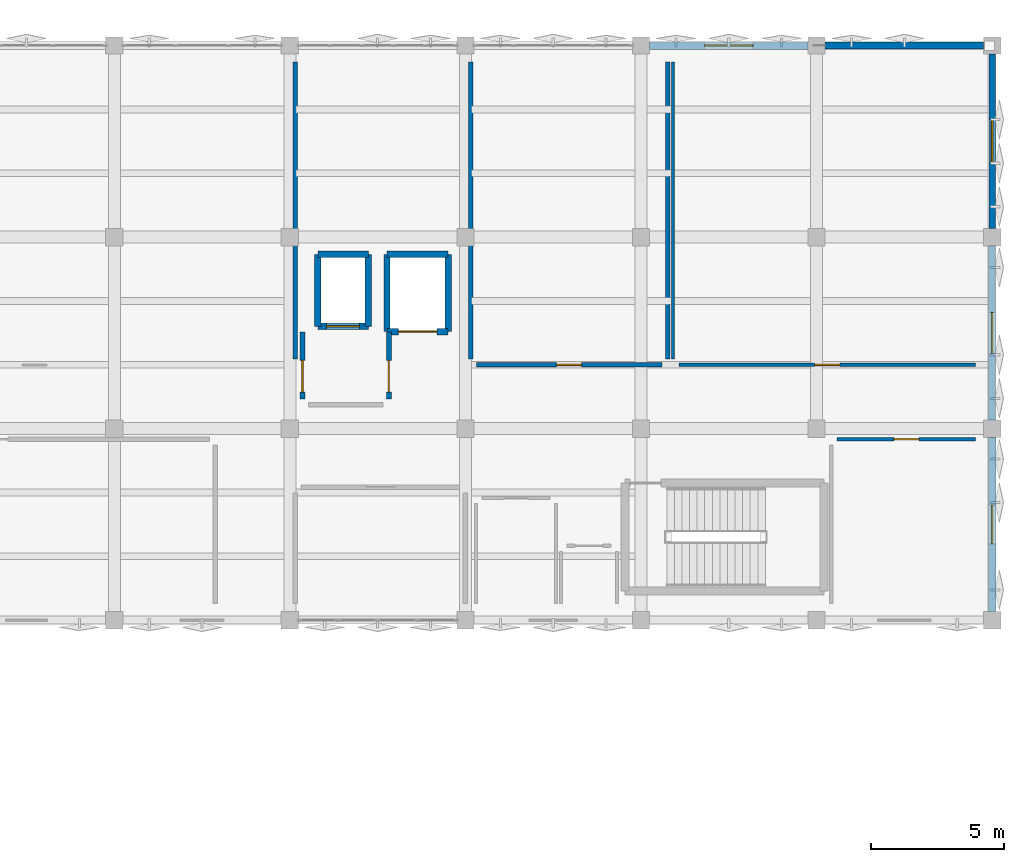
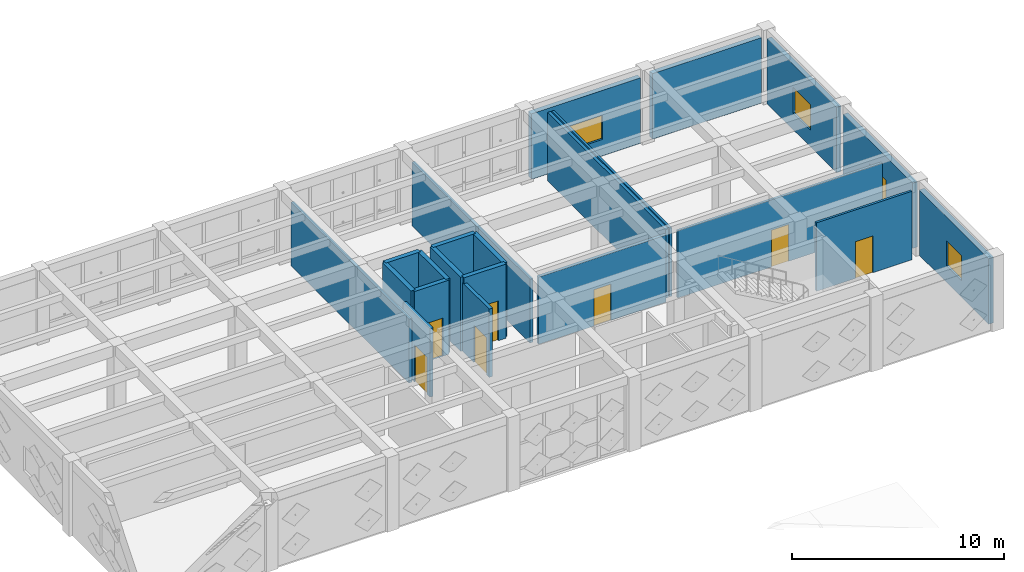
# One storey, part 41 of 48: 22 walls, 7 doors, 4 windows, 11 openings.
"""IFC4 building model written with IfcOpenShell, lengths in metres."""

from ifc_helpers import new_model, si_unit, direction, frame, frame_2d, origin, place, context, subcontext, project, spatial, rectangle, extrude, material, layer, layer_set, type_object, element, fill, save


model = new_model("IFC4")

# Units and contexts
model_context = context("Model", 3, precision=1e-05, world=origin(), true_north=direction((0.0, 1.0)))
body_context = subcontext(model_context, "Body", "Model", "MODEL_VIEW")
ifc_project = project(units=[si_unit("LENGTHUNIT", "METRE"), si_unit("AREAUNIT", "SQUARE_METRE"), si_unit("VOLUMEUNIT", "CUBIC_METRE"), si_unit("PLANEANGLEUNIT", "RADIAN"), si_unit("MASSUNIT", "GRAM", prefix="KILO")], contexts=[model_context])

# Site, building, storey
site_placement = place(None, origin())
site = spatial("IfcSite", under=ifc_project, at=site_placement, CompositionType="ELEMENT")
building_placement = place(site_placement, origin())
building = spatial("IfcBuilding", under=site, at=building_placement, Name="Kharisveld Research Institute", CompositionType="ELEMENT")
storey_placement = place(building_placement, frame((0.0, 0.0, 14.10009765625)))
storey = spatial("IfcBuildingStorey", under=building, at=storey_placement, Name="L03", CompositionType="ELEMENT", Elevation=14.10009765625)

# Walls
ifc_material_1 = material(Name="Concrete C40/50", Category="concrete")
ifc_layer_1 = layer(ifc_material_1, 0.239990234375)
ifc_layer_set_1 = layer_set([ifc_layer_1], Name="WL_CORE_240")
wall_type_1 = type_object("IfcWallType", Name="WL_CORE_240", PredefinedType="SHEAR", material=ifc_layer_set_1)
wall_1_placement = place(storey_placement, frame((135.449951171875, 50.25, 0.0), z_axis=(0.0, 0.0, 1.0), x_axis=(0.0, 1.0, 0.0)))
element("IfcWall", 1, at=wall_1_placement, inside=storey, type_object=wall_type_1, Name="WL:LFT:FFL-02:L03:W", PredefinedType="SHEAR", context=body_context, shape_type="SweptSolid", body=[
    extrude(rectangle(XDim=2.699951171875, YDim=0.239990234375, at=frame_2d((1.35009765625, 0.0))), origin(), (0.0, 0.0, 1.0), 4.27978515625),
])
wall_2_placement = place(storey_placement, frame((135.449951171875, 52.949951171875, 0.0), z_axis=(0.0, 0.0, 1.0), x_axis=(1.0, 0.0, 0.0)))
element("IfcWall", 2, at=wall_2_placement, inside=storey, type_object=wall_type_1, Name="WL:LFT:FFL-02:L03:N", PredefinedType="SHEAR", context=body_context, shape_type="SweptSolid", body=[
    extrude(rectangle(XDim=1.900146484375, YDim=0.239990234375, at=frame_2d((0.9501953125, 0.0))), origin(), (0.0, 0.0, 1.0), 4.27978515625),
])
wall_3_placement = place(storey_placement, frame((137.35009765625, 52.949951171875, 0.0), z_axis=(0.0, 0.0, 1.0), x_axis=(0.0, -1.0, 0.0)))
element("IfcWall", 3, at=wall_3_placement, inside=storey, type_object=wall_type_1, Name="WL:LFT:FFL-02:L03:E", PredefinedType="SHEAR", context=body_context, shape_type="SweptSolid", body=[
    extrude(rectangle(XDim=2.699951171875, YDim=0.239990234375, at=frame_2d((1.35009765625, 0.0))), origin(), (0.0, 0.0, 1.0), 4.27978515625),
])

# Wall, opening, door
wall_4_placement = place(storey_placement, frame((137.35009765625, 50.25, 0.0), z_axis=(0.0, 0.0, 1.0), x_axis=(-1.0, 0.0, 0.0)))
wall_4 = element("IfcWall", 4, at=wall_4_placement, inside=storey, type_object=wall_type_1, Name="WL:LFT:FFL-02:L03:S", PredefinedType="SHEAR", context=body_context, shape_type="SweptSolid", body=[
    extrude(rectangle(XDim=1.900146484375, YDim=0.239990234375, at=frame_2d((0.9501953125, 0.0))), origin(), (0.0, 0.0, 1.0), 4.27978515625),
])
opening_1_placement = place(wall_4_placement, frame((0.324951171875, 0.0, 0.0)))
opening_1 = element("IfcOpeningElement", 5, at=opening_1_placement, cuts=wall_4, Name="Opening LD-02", PredefinedType="OPENING", context=body_context, shape_type="SweptSolid", body=[
    extrude(rectangle(XDim=1.25, YDim=2.199951171875, at=frame_2d((0.625, 1.10009765625))), frame((0.0, 0.1201171875, 0.0), z_axis=(0.0, -1.0, 0.0), x_axis=(1.0, 0.0, 0.0)), (0.0, 0.0, 1.0), 0.239990234375),
])
ifc_material_2 = material(Name="Flush Painted Hardwood and Anodised Aluminium", Category="wood")
door_type_1 = type_object("IfcDoorType", Name="DR_LFT_125", OperationType="SLIDING_TO_RIGHT", PredefinedType="DOOR", material=ifc_material_2)
door_1_placement = place(opening_1_placement, origin())
door_1 = element("IfcDoor", 6, at=door_1_placement, inside=storey, type_object=door_type_1, Name="FFL-02 Lift Landing Door L03", OperationType="SLIDING_TO_RIGHT", OverallHeight=2.199951171875, OverallWidth=1.25, PredefinedType="DOOR", context=body_context, shape_type="SweptSolid", body=[
    extrude(rectangle(XDim=1.25, YDim=2.199951171875, at=frame_2d((0.625, 1.10009765625))), frame((0.0, 0.02490234375, 0.0), z_axis=(0.0, -1.0, 0.0), x_axis=(1.0, 0.0, 0.0)), (0.0, 0.0, 1.0), 0.050048828125),
])
fill(opening_1, door_1)

# Walls
wall_5_placement = place(storey_placement, frame((138.050048828125, 50.050048828125, 0.0), z_axis=(0.0, 0.0, 1.0), x_axis=(0.0, 1.0, 0.0)))
element("IfcWall", 7, at=wall_5_placement, inside=storey, type_object=wall_type_1, Name="WL:LFT:GL-01:L03:W", PredefinedType="SHEAR", context=body_context, shape_type="SweptSolid", body=[
    extrude(rectangle(XDim=2.89990234375, YDim=0.239990234375, at=frame_2d((1.449951171875, 0.0))), origin(), (0.0, 0.0, 1.0), 4.27978515625),
])
wall_6_placement = place(storey_placement, frame((138.050048828125, 52.949951171875, 0.0), z_axis=(0.0, 0.0, 1.0), x_axis=(1.0, 0.0, 0.0)))
element("IfcWall", 8, at=wall_6_placement, inside=storey, type_object=wall_type_1, Name="WL:LFT:GL-01:L03:N", PredefinedType="SHEAR", context=body_context, shape_type="SweptSolid", body=[
    extrude(rectangle(XDim=2.300048828125, YDim=0.239990234375, at=frame_2d((1.14990234375, 0.0))), origin(), (0.0, 0.0, 1.0), 4.27978515625),
])
wall_7_placement = place(storey_placement, frame((140.35009765625, 52.949951171875, 0.0), z_axis=(0.0, 0.0, 1.0), x_axis=(0.0, -1.0, 0.0)))
element("IfcWall", 9, at=wall_7_placement, inside=storey, type_object=wall_type_1, Name="WL:LFT:GL-01:L03:E", PredefinedType="SHEAR", context=body_context, shape_type="SweptSolid", body=[
    extrude(rectangle(XDim=2.89990234375, YDim=0.239990234375, at=frame_2d((1.449951171875, 0.0))), origin(), (0.0, 0.0, 1.0), 4.27978515625),
])

# Wall, opening, door
wall_8_placement = place(storey_placement, frame((140.35009765625, 50.050048828125, 0.0), z_axis=(0.0, 0.0, 1.0), x_axis=(-1.0, 0.0, 0.0)))
wall_8 = element("IfcWall", 10, at=wall_8_placement, inside=storey, type_object=wall_type_1, Name="WL:LFT:GL-01:L03:S", PredefinedType="SHEAR", context=body_context, shape_type="SweptSolid", body=[
    extrude(rectangle(XDim=2.300048828125, YDim=0.239990234375, at=frame_2d((1.14990234375, 0.0))), origin(), (0.0, 0.0, 1.0), 4.27978515625),
])
opening_2_placement = place(wall_8_placement, frame((0.425048828125, 0.0, 0.0)))
opening_2 = element("IfcOpeningElement", 11, at=opening_2_placement, cuts=wall_8, Name="Opening LD-03", PredefinedType="OPENING", context=body_context, shape_type="SweptSolid", body=[
    extrude(rectangle(XDim=1.449951171875, YDim=2.300048828125, at=frame_2d((0.72509765625, 1.14990234375))), frame((0.0, 0.1201171875, 0.0), z_axis=(0.0, -1.0, 0.0), x_axis=(1.0, 0.0, 0.0)), (0.0, 0.0, 1.0), 0.239990234375),
])
ifc_material_3 = material(Name="Flush Painted Hardwood and Anodised Aluminium", Category="wood")
door_type_2 = type_object("IfcDoorType", Name="DR_LFT_145", OperationType="DOUBLE_DOOR_SLIDING", PredefinedType="DOOR", material=ifc_material_3)
door_2_placement = place(opening_2_placement, origin())
door_2 = element("IfcDoor", 12, at=door_2_placement, inside=storey, type_object=door_type_2, Name="GL-01 Lift Landing Door L03", OperationType="DOUBLE_DOOR_SLIDING", OverallHeight=2.300048828125, OverallWidth=1.449951171875, PredefinedType="DOOR", context=body_context, shape_type="SweptSolid", body=[
    extrude(rectangle(XDim=1.449951171875, YDim=2.300048828125, at=frame_2d((0.72509765625, 1.14990234375))), frame((0.0, 0.02490234375, 0.0), z_axis=(0.0, -1.0, 0.0), x_axis=(1.0, 0.0, 0.0)), (0.0, 0.0, 1.0), 0.050048828125),
])
fill(opening_2, door_2)

# Wall, opening, window
ifc_material_4 = material(Name="Lightweight Acoustic Spandrel", Category="mineral")
ifc_layer_2 = layer(ifc_material_4, 0.2451171875)
ifc_layer_set_2 = layer_set([ifc_layer_2], Name="WL_EXT_245")
wall_type_2 = type_object("IfcWallType", Name="WL_EXT_245", PredefinedType="STANDARD", material=ifc_layer_set_2)
wall_9_placement = place(storey_placement, frame((160.800048828125, 60.47998046875, 0.0), z_axis=(0.0, 0.0, 1.0), x_axis=(0.0, -1.0, 0.0)))
wall_9 = element("IfcWall", 13, at=wall_9_placement, inside=storey, type_object=wall_type_2, Name="WL:V2:L03:E3", PredefinedType="STANDARD", context=body_context, shape_type="SweptSolid", body=[
    extrude(rectangle(XDim=6.56005859375, YDim=0.2451171875, at=frame_2d((3.280029296875, 0.0))), origin(), (0.0, 0.0, 1.0), 3.77490234375),
])
opening_3_placement = place(wall_9_placement, frame((2.4599609375, 0.0, 0.949951171875)))
opening_3 = element("IfcOpeningElement", 14, at=opening_3_placement, cuts=wall_9, Name="Opening WN-26", PredefinedType="OPENING", context=body_context, shape_type="SweptSolid", body=[
    extrude(rectangle(XDim=1.639892578125, YDim=1.47998046875, at=frame_2d((0.81982421875, 0.739990234375))), frame((0.0, 0.12255859375, 0.0), z_axis=(0.0, -1.0, 0.0), x_axis=(1.0, 0.0, 0.0)), (0.0, 0.0, 1.0), 0.2451171875),
])
ifc_material_5 = material(Name="Low-E Double Glazing", Category="glass")
window_type_1 = type_object("IfcWindowType", Name="WN_26", PartitioningType="DOUBLE_PANEL_VERTICAL", PredefinedType="WINDOW", material=ifc_material_5)
window_1_placement = place(opening_3_placement, origin())
window_1 = element("IfcWindow", 15, at=window_1_placement, inside=storey, type_object=window_type_1, Name="WN:V2:L03:E3", OverallHeight=1.47998046875, OverallWidth=1.639892578125, PartitioningType="SINGLE_PANEL", PredefinedType="WINDOW", context=body_context, shape_type="SweptSolid", body=[
    extrude(rectangle(XDim=1.639892578125, YDim=1.47998046875, at=frame_2d((0.81982421875, 0.739990234375))), frame((0.0, 0.030029296875, 0.0), z_axis=(0.0, -1.0, 0.0), x_axis=(1.0, 0.0, 0.0)), (0.0, 0.0, 1.0), 0.06005859375),
])
fill(opening_3, window_1)

# Wall
ifc_material_6 = material(Name="Precast Concrete C40/50 Thermal Wall", Category="concrete")
ifc_layer_3 = layer(ifc_material_6, 0.260009765625)
ifc_layer_set_3 = layer_set([ifc_layer_3], Name="WL_EXT_260")
wall_type_3 = type_object("IfcWallType", Name="WL_EXT_260", PredefinedType="STANDARD", material=ifc_layer_set_3)
wall_10_placement = place(storey_placement, frame((154.52001953125, 60.800048828125, 0.0), z_axis=(0.0, 0.0, 1.0), x_axis=(1.0, 0.0, 0.0)))
element("IfcWall", 16, at=wall_10_placement, inside=storey, type_object=wall_type_3, Name="WL:V2:L03:N6", PredefinedType="STANDARD", context=body_context, shape_type="SweptSolid", body=[
    extrude(rectangle(XDim=5.9599609375, YDim=0.260009765625, at=frame_2d((2.97998046875, 0.0))), origin(), (0.0, 0.0, 1.0), 3.77490234375),
])

# Wall, opening, window
wall_11_placement = place(storey_placement, frame((160.800048828125, 53.280029296875, 0.0), z_axis=(0.0, 0.0, 1.0), x_axis=(0.0, -1.0, 0.0)))
wall_11 = element("IfcWall", 17, at=wall_11_placement, inside=storey, type_object=wall_type_3, Name="WL:V2:L03:E2", PredefinedType="STANDARD", context=body_context, shape_type="SweptSolid", body=[
    extrude(rectangle(XDim=6.56005859375, YDim=0.260009765625, at=frame_2d((3.280029296875, 0.0))), origin(), (0.0, 0.0, 1.0), 3.77490234375),
])
opening_4_placement = place(wall_11_placement, frame((2.5048828125, 0.0, 0.949951171875)))
opening_4 = element("IfcOpeningElement", 18, at=opening_4_placement, cuts=wall_11, Name="Opening WN-25", PredefinedType="OPENING", context=body_context, shape_type="SweptSolid", body=[
    extrude(rectangle(XDim=1.550048828125, YDim=1.4599609375, at=frame_2d((0.77490234375, 0.72998046875))), frame((0.0, 0.1298828125, 0.0), z_axis=(0.0, -1.0, 0.0), x_axis=(1.0, 0.0, 0.0)), (0.0, 0.0, 1.0), 0.260009765625),
])
ifc_material_7 = material(Name="Low-E Double Glazing", Category="glass")
window_type_2 = type_object("IfcWindowType", Name="WN_25", PartitioningType="DOUBLE_PANEL_VERTICAL", PredefinedType="WINDOW", material=ifc_material_7)
window_2_placement = place(opening_4_placement, origin())
window_2 = element("IfcWindow", 19, at=window_2_placement, inside=storey, type_object=window_type_2, Name="WN:V2:L03:E2", OverallHeight=1.4599609375, OverallWidth=1.550048828125, PartitioningType="SINGLE_PANEL", PredefinedType="WINDOW", context=body_context, shape_type="SweptSolid", body=[
    extrude(rectangle(XDim=1.550048828125, YDim=1.4599609375, at=frame_2d((0.77490234375, 0.72998046875))), frame((0.0, 0.030029296875, 0.0), z_axis=(0.0, -1.0, 0.0), x_axis=(1.0, 0.0, 0.0)), (0.0, 0.0, 1.0), 0.06005859375),
])
fill(opening_4, window_2)

ifc_material_8 = material(Name="Precast Concrete C40/50 Thermal Wall", Category="concrete")
ifc_layer_4 = layer(ifc_material_8, 0.27490234375)
ifc_layer_set_4 = layer_set([ifc_layer_4], Name="WL_EXT_275")
wall_type_4 = type_object("IfcWallType", Name="WL_EXT_275", PredefinedType="STANDARD", material=ifc_layer_set_4)
wall_12_placement = place(storey_placement, frame((147.919921875, 60.800048828125, 0.0), z_axis=(0.0, 0.0, 1.0), x_axis=(1.0, 0.0, 0.0)))
wall_12 = element("IfcWall", 20, at=wall_12_placement, inside=storey, type_object=wall_type_4, Name="WL:V2:L03:N5", PredefinedType="STANDARD", context=body_context, shape_type="SweptSolid", body=[
    extrude(rectangle(XDim=5.9599609375, YDim=0.27490234375, at=frame_2d((2.97998046875, 0.0))), origin(), (0.0, 0.0, 1.0), 3.77490234375),
])
opening_5_placement = place(wall_12_placement, frame((2.070068359375, 0.0, 0.949951171875)))
opening_5 = element("IfcOpeningElement", 21, at=opening_5_placement, cuts=wall_12, Name="Opening WN-28", PredefinedType="OPENING", context=body_context, shape_type="SweptSolid", body=[
    extrude(rectangle(XDim=1.820068359375, YDim=1.3798828125, at=frame_2d((0.91015625, 0.68994140625))), frame((0.0, 0.137451171875, 0.0), z_axis=(0.0, -1.0, 0.0), x_axis=(1.0, 0.0, 0.0)), (0.0, 0.0, 1.0), 0.27490234375),
])
ifc_material_9 = material(Name="Low-E Double Glazing", Category="glass")
window_type_3 = type_object("IfcWindowType", Name="WN_28", PartitioningType="DOUBLE_PANEL_VERTICAL", PredefinedType="WINDOW", material=ifc_material_9)
window_3_placement = place(opening_5_placement, origin())
window_3 = element("IfcWindow", 22, at=window_3_placement, inside=storey, type_object=window_type_3, Name="WN:V2:L03:N5", OverallHeight=1.3798828125, OverallWidth=1.820068359375, PartitioningType="SINGLE_PANEL", PredefinedType="WINDOW", context=body_context, shape_type="SweptSolid", body=[
    extrude(rectangle(XDim=1.820068359375, YDim=1.3798828125, at=frame_2d((0.91015625, 0.68994140625))), frame((0.0, 0.030029296875, 0.0), z_axis=(0.0, -1.0, 0.0), x_axis=(1.0, 0.0, 0.0)), (0.0, 0.0, 1.0), 0.06005859375),
])
fill(opening_5, window_3)

wall_13_placement = place(storey_placement, frame((160.800048828125, 46.080078125, 0.0), z_axis=(0.0, 0.0, 1.0), x_axis=(0.0, -1.0, 0.0)))
wall_13 = element("IfcWall", 23, at=wall_13_placement, inside=storey, type_object=wall_type_4, Name="WL:V2:L03:E1", PredefinedType="STANDARD", context=body_context, shape_type="SweptSolid", body=[
    extrude(rectangle(XDim=6.56005859375, YDim=0.27490234375, at=frame_2d((3.280029296875, 0.0))), origin(), (0.0, 0.0, 1.0), 3.77490234375),
])
opening_6_placement = place(wall_13_placement, frame((2.550048828125, 0.0, 0.949951171875)))
opening_6 = element("IfcOpeningElement", 24, at=opening_6_placement, cuts=wall_13, Name="Opening WN-24", PredefinedType="OPENING", context=body_context, shape_type="SweptSolid", body=[
    extrude(rectangle(XDim=1.4599609375, YDim=1.43994140625, at=frame_2d((0.72998046875, 0.719970703125))), frame((0.0, 0.137451171875, 0.0), z_axis=(0.0, -1.0, 0.0), x_axis=(1.0, 0.0, 0.0)), (0.0, 0.0, 1.0), 0.27490234375),
])
ifc_material_10 = material(Name="Low-E Double Glazing", Category="glass")
window_type_4 = type_object("IfcWindowType", Name="WN_24", PartitioningType="DOUBLE_PANEL_VERTICAL", PredefinedType="WINDOW", material=ifc_material_10)
window_4_placement = place(opening_6_placement, origin())
window_4 = element("IfcWindow", 25, at=window_4_placement, inside=storey, type_object=window_type_4, Name="WN:V2:L03:E1", OverallHeight=1.43994140625, OverallWidth=1.4599609375, PartitioningType="SINGLE_PANEL", PredefinedType="WINDOW", context=body_context, shape_type="SweptSolid", body=[
    extrude(rectangle(XDim=1.4599609375, YDim=1.43994140625, at=frame_2d((0.72998046875, 0.719970703125))), frame((0.0, 0.030029296875, 0.0), z_axis=(0.0, -1.0, 0.0), x_axis=(1.0, 0.0, 0.0)), (0.0, 0.0, 1.0), 0.06005859375),
])
fill(opening_6, window_4)

# Wall
ifc_material_11 = material(Name="Acoustic Drywall Partition", Category="mineral")
ifc_layer_5 = layer(ifc_material_11, 0.1650390625)
ifc_layer_set_5 = layer_set([ifc_layer_5], Name="WL_LAB_165")
wall_type_5 = type_object("IfcWallType", Name="WL_LAB_165", PredefinedType="PARTITIONING", material=ifc_layer_set_5)
wall_14_placement = place(storey_placement, frame((134.60009765625, 49.02001953125, 0.0), z_axis=(0.0, 0.0, 1.0), x_axis=(0.0, 1.0, 0.0)))
element("IfcWall", 26, at=wall_14_placement, inside=storey, type_object=wall_type_5, Name="WL:RM:V2:L03:WLA:E", PredefinedType="PARTITIONING", context=body_context, shape_type="SweptSolid", body=[
    extrude(rectangle(XDim=11.159912109375, YDim=0.1650390625, at=frame_2d((5.580078125, 0.0))), origin(), (0.0, 0.0, 1.0), 3.6748046875),
])

# Wall, opening, door
wall_15_placement = place(storey_placement, frame((141.419921875, 48.800048828125, 0.0), z_axis=(0.0, 0.0, 1.0), x_axis=(1.0, 0.0, 0.0)))
wall_15 = element("IfcWall", 27, at=wall_15_placement, inside=storey, type_object=wall_type_5, Name="WL:RM:V2:L03:WLB:S", PredefinedType="PARTITIONING", context=body_context, shape_type="SweptSolid", body=[
    extrude(rectangle(XDim=6.9599609375, YDim=0.1650390625, at=frame_2d((3.47998046875, 0.0))), origin(), (0.0, 0.0, 1.0), 3.875),
])
opening_7_placement = place(wall_15_placement, frame((3.010009765625, 0.0, 0.0)))
opening_7 = element("IfcOpeningElement", 28, at=opening_7_placement, cuts=wall_15, Name="Opening DI-218", PredefinedType="OPENING", context=body_context, shape_type="SweptSolid", body=[
    extrude(rectangle(XDim=0.93994140625, YDim=2.10009765625, at=frame_2d((0.469970703125, 1.050048828125))), frame((0.0, 0.08251953125, 0.0), z_axis=(0.0, -1.0, 0.0), x_axis=(1.0, 0.0, 0.0)), (0.0, 0.0, 1.0), 0.1650390625),
])
ifc_material_12 = material(Name="Flush Painted Hardwood and Anodised Aluminium", Category="wood")
door_type_3 = type_object("IfcDoorType", Name="DR_VAR_02", OperationType="NOTDEFINED", PredefinedType="DOOR", material=ifc_material_12)
door_3_placement = place(opening_7_placement, origin())
door_3 = element("IfcDoor", 29, at=door_3_placement, inside=storey, type_object=door_type_3, Name="DR:RM:V2:L03:WLB:S", OperationType="SINGLE_SWING_LEFT", OverallHeight=2.10009765625, OverallWidth=0.93994140625, PredefinedType="DOOR", context=body_context, shape_type="SweptSolid", body=[
    extrude(rectangle(XDim=0.93994140625, YDim=2.10009765625, at=frame_2d((0.469970703125, 1.050048828125))), frame((0.0, 0.02490234375, 0.0), z_axis=(0.0, -1.0, 0.0), x_axis=(1.0, 0.0, 0.0)), (0.0, 0.0, 1.0), 0.050048828125),
])
fill(opening_7, door_3)

# Walls
wall_16_placement = place(storey_placement, frame((148.60009765625, 49.02001953125, 0.0), z_axis=(0.0, 0.0, 1.0), x_axis=(0.0, 1.0, 0.0)))
element("IfcWall", 30, at=wall_16_placement, inside=storey, type_object=wall_type_5, Name="WL:RM:V2:L03:WLB:E", PredefinedType="PARTITIONING", context=body_context, shape_type="SweptSolid", body=[
    extrude(rectangle(XDim=11.159912109375, YDim=0.1650390625, at=frame_2d((5.580078125, 0.0))), origin(), (0.0, 0.0, 1.0), 3.949951171875),
])
wall_17_placement = place(storey_placement, frame((141.199951171875, 60.179931640625, 0.0), z_axis=(0.0, 0.0, 1.0), x_axis=(0.0, -1.0, 0.0)))
element("IfcWall", 31, at=wall_17_placement, inside=storey, type_object=wall_type_5, Name="WL:RM:V2:L03:WLB:W", PredefinedType="PARTITIONING", context=body_context, shape_type="SweptSolid", body=[
    extrude(rectangle(XDim=11.159912109375, YDim=0.1650390625, at=frame_2d((5.580078125, 0.0))), origin(), (0.0, 0.0, 1.0), 3.6748046875),
])

# Wall, opening, door
ifc_material_13 = material(Name="Masonry Blockwork", Category="masonry")
ifc_layer_6 = layer(ifc_material_13, 0.18505859375)
ifc_layer_set_6 = layer_set([ifc_layer_6], Name="WL_LOB_185")
wall_type_6 = type_object("IfcWallType", Name="WL_LOB_185", PredefinedType="SOLIDWALL", material=ifc_layer_set_6)
wall_18_placement = place(storey_placement, frame((138.1201171875, 47.52001953125, 0.0), z_axis=(0.0, 0.0, 1.0), x_axis=(0.0, 1.0, 0.0)))
wall_18 = element("IfcWall", 32, at=wall_18_placement, inside=storey, type_object=wall_type_6, Name="WL:RM:V2:L03:FFL:E", PredefinedType="SOLIDWALL", context=body_context, shape_type="SweptSolid", body=[
    extrude(rectangle(XDim=2.510009765625, YDim=0.18505859375, at=frame_2d((1.2548828125, 0.0))), origin(), (0.0, 0.0, 1.0), 3.949951171875),
])
opening_8_placement = place(wall_18_placement, frame((0.25, 0.0, 0.0)))
opening_8 = element("IfcOpeningElement", 33, at=opening_8_placement, cuts=wall_18, Name="Opening DI-213", PredefinedType="OPENING", context=body_context, shape_type="SweptSolid", body=[
    extrude(rectangle(XDim=1.199951171875, YDim=2.14990234375, at=frame_2d((0.60009765625, 1.074951171875))), frame((0.0, 0.092529296875, 0.0), z_axis=(0.0, -1.0, 0.0), x_axis=(1.0, 0.0, 0.0)), (0.0, 0.0, 1.0), 0.18505859375),
])
ifc_material_14 = material(Name="Flush Painted Hardwood and Anodised Aluminium", Category="wood")
door_type_4 = type_object("IfcDoorType", Name="DR_FD120_120", OperationType="NOTDEFINED", PredefinedType="DOOR", material=ifc_material_14)
door_4_placement = place(opening_8_placement, origin())
door_4 = element("IfcDoor", 34, at=door_4_placement, inside=storey, type_object=door_type_4, Name="DR:RM:V2:L03:FFL:E", OperationType="SINGLE_SWING_RIGHT", OverallHeight=2.14990234375, OverallWidth=1.199951171875, PredefinedType="DOOR", context=body_context, shape_type="SweptSolid", body=[
    extrude(rectangle(XDim=1.199951171875, YDim=2.14990234375, at=frame_2d((0.60009765625, 1.074951171875))), frame((0.0, 0.02490234375, 0.0), z_axis=(0.0, -1.0, 0.0), x_axis=(1.0, 0.0, 0.0)), (0.0, 0.0, 1.0), 0.050048828125),
])
fill(opening_8, door_4)

wall_19_placement = place(storey_placement, frame((134.8798828125, 50.030029296875, 0.0), z_axis=(0.0, 0.0, 1.0), x_axis=(0.0, -1.0, 0.0)))
wall_19 = element("IfcWall", 35, at=wall_19_placement, inside=storey, type_object=wall_type_6, Name="WL:RM:V2:L03:FFL:W", PredefinedType="SOLIDWALL", context=body_context, shape_type="SweptSolid", body=[
    extrude(rectangle(XDim=2.510009765625, YDim=0.18505859375, at=frame_2d((1.2548828125, 0.0))), origin(), (0.0, 0.0, 1.0), 3.949951171875),
])
opening_9_placement = place(wall_19_placement, frame((1.06005859375, 0.0, 0.0)))
opening_9 = element("IfcOpeningElement", 36, at=opening_9_placement, cuts=wall_19, Name="Opening DI-214", PredefinedType="OPENING", context=body_context, shape_type="SweptSolid", body=[
    extrude(rectangle(XDim=1.199951171875, YDim=2.14990234375, at=frame_2d((0.60009765625, 1.074951171875))), frame((0.0, 0.092529296875, 0.0), z_axis=(0.0, -1.0, 0.0), x_axis=(1.0, 0.0, 0.0)), (0.0, 0.0, 1.0), 0.18505859375),
])
door_5_placement = place(opening_9_placement, origin())
door_5 = element("IfcDoor", 37, at=door_5_placement, inside=storey, type_object=door_type_4, Name="DR:RM:V2:L03:FFL:W", OperationType="SINGLE_SWING_LEFT", OverallHeight=2.14990234375, OverallWidth=1.199951171875, PredefinedType="DOOR", context=body_context, shape_type="SweptSolid", body=[
    extrude(rectangle(XDim=1.199951171875, YDim=2.14990234375, at=frame_2d((0.60009765625, 1.074951171875))), frame((0.0, 0.02490234375, 0.0), z_axis=(0.0, -1.0, 0.0), x_axis=(1.0, 0.0, 0.0)), (0.0, 0.0, 1.0), 0.050048828125),
])
fill(opening_9, door_5)

ifc_material_15 = material(Name="Insulated Stud Partition", Category="mineral")
ifc_layer_7 = layer(ifc_material_15, 0.125)
ifc_layer_set_7 = layer_set([ifc_layer_7], Name="WL_OFF_125")
wall_type_7 = type_object("IfcWallType", Name="WL_OFF_125", PredefinedType="PARTITIONING", material=ifc_layer_set_7)
wall_20_placement = place(storey_placement, frame((149.02001953125, 48.800048828125, 0.0), z_axis=(0.0, 0.0, 1.0), x_axis=(1.0, 0.0, 0.0)))
wall_20 = element("IfcWall", 38, at=wall_20_placement, inside=storey, type_object=wall_type_7, Name="WL:RM:V2:L03:WLD:S", PredefinedType="PARTITIONING", context=body_context, shape_type="SweptSolid", body=[
    extrude(rectangle(XDim=11.159912109375, YDim=0.125, at=frame_2d((5.580078125, 0.0))), origin(), (0.0, 0.0, 1.0), 3.875),
])
opening_10_placement = place(wall_20_placement, frame((5.110107421875, 0.0, 0.0)))
opening_10 = element("IfcOpeningElement", 39, at=opening_10_placement, cuts=wall_20, Name="Opening DI-219", PredefinedType="OPENING", context=body_context, shape_type="SweptSolid", body=[
    extrude(rectangle(XDim=0.93994140625, YDim=2.1201171875, at=frame_2d((0.469970703125, 1.06005859375))), frame((0.0, 0.0625, 0.0), z_axis=(0.0, -1.0, 0.0), x_axis=(1.0, 0.0, 0.0)), (0.0, 0.0, 1.0), 0.125),
])
ifc_material_16 = material(Name="Flush Painted Hardwood and Anodised Aluminium", Category="wood")
door_type_5 = type_object("IfcDoorType", Name="DR_OFF_094", OperationType="NOTDEFINED", PredefinedType="DOOR", material=ifc_material_16)
door_6_placement = place(opening_10_placement, origin())
door_6 = element("IfcDoor", 40, at=door_6_placement, inside=storey, type_object=door_type_5, Name="DR:RM:V2:L03:WLD:S", OperationType="SINGLE_SWING_RIGHT", OverallHeight=2.1201171875, OverallWidth=0.93994140625, PredefinedType="DOOR", context=body_context, shape_type="SweptSolid", body=[
    extrude(rectangle(XDim=0.93994140625, YDim=2.1201171875, at=frame_2d((0.469970703125, 1.06005859375))), frame((0.0, 0.02490234375, 0.0), z_axis=(0.0, -1.0, 0.0), x_axis=(1.0, 0.0, 0.0)), (0.0, 0.0, 1.0), 0.050048828125),
])
fill(opening_10, door_6)

# Wall
wall_21_placement = place(storey_placement, frame((148.800048828125, 60.179931640625, 0.0), z_axis=(0.0, 0.0, 1.0), x_axis=(0.0, -1.0, 0.0)))
element("IfcWall", 41, at=wall_21_placement, inside=storey, type_object=wall_type_7, Name="WL:RM:V2:L03:WLD:W", PredefinedType="PARTITIONING", context=body_context, shape_type="SweptSolid", body=[
    extrude(rectangle(XDim=11.159912109375, YDim=0.125, at=frame_2d((5.580078125, 0.0))), origin(), (0.0, 0.0, 1.0), 3.949951171875),
])

# Wall, opening, door
wall_22_placement = place(storey_placement, frame((160.179931640625, 46.0, 0.0), z_axis=(0.0, 0.0, 1.0), x_axis=(-1.0, 0.0, 0.0)))
wall_22 = element("IfcWall", 42, at=wall_22_placement, inside=storey, type_object=wall_type_7, Name="WL:RM:V2:L03:SEM:N", PredefinedType="PARTITIONING", context=body_context, shape_type="SweptSolid", body=[
    extrude(rectangle(XDim=5.2099609375, YDim=0.125, at=frame_2d((2.60498046875, 0.0))), origin(), (0.0, 0.0, 1.0), 3.949951171875),
])
opening_11_placement = place(wall_22_placement, frame((2.135009765625, 0.0, 0.0)))
opening_11 = element("IfcOpeningElement", 43, at=opening_11_placement, cuts=wall_22, Name="Opening DI-222", PredefinedType="OPENING", context=body_context, shape_type="SweptSolid", body=[
    extrude(rectangle(XDim=0.93994140625, YDim=2.1201171875, at=frame_2d((0.469970703125, 1.06005859375))), frame((0.0, 0.0625, 0.0), z_axis=(0.0, -1.0, 0.0), x_axis=(1.0, 0.0, 0.0)), (0.0, 0.0, 1.0), 0.125),
])
door_7_placement = place(opening_11_placement, origin())
door_7 = element("IfcDoor", 44, at=door_7_placement, inside=storey, type_object=door_type_5, Name="DR:RM:V2:L03:SEM:N", OperationType="SINGLE_SWING_LEFT", OverallHeight=2.1201171875, OverallWidth=0.93994140625, PredefinedType="DOOR", context=body_context, shape_type="SweptSolid", body=[
    extrude(rectangle(XDim=0.93994140625, YDim=2.1201171875, at=frame_2d((0.469970703125, 1.06005859375))), frame((0.0, 0.02490234375, 0.0), z_axis=(0.0, -1.0, 0.0), x_axis=(1.0, 0.0, 0.0)), (0.0, 0.0, 1.0), 0.050048828125),
])
fill(opening_11, door_7)

save(model, "model.ifc")
